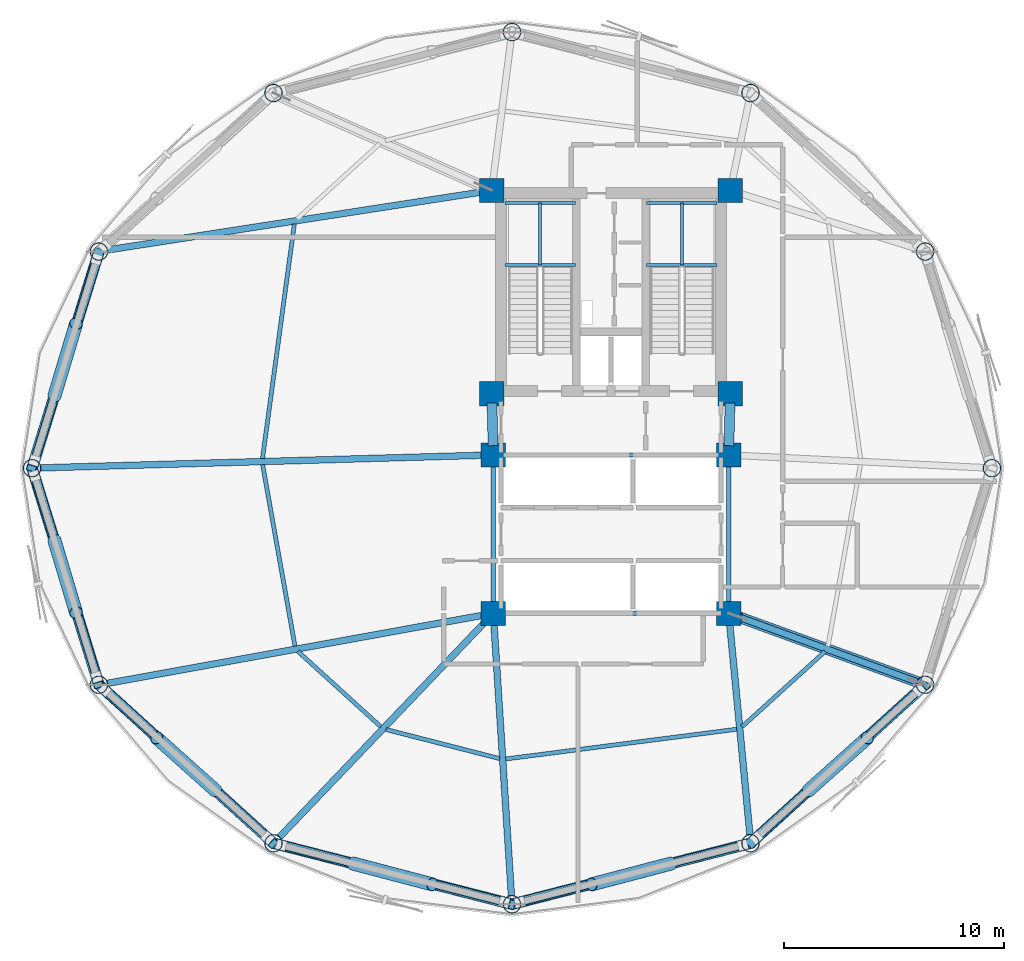
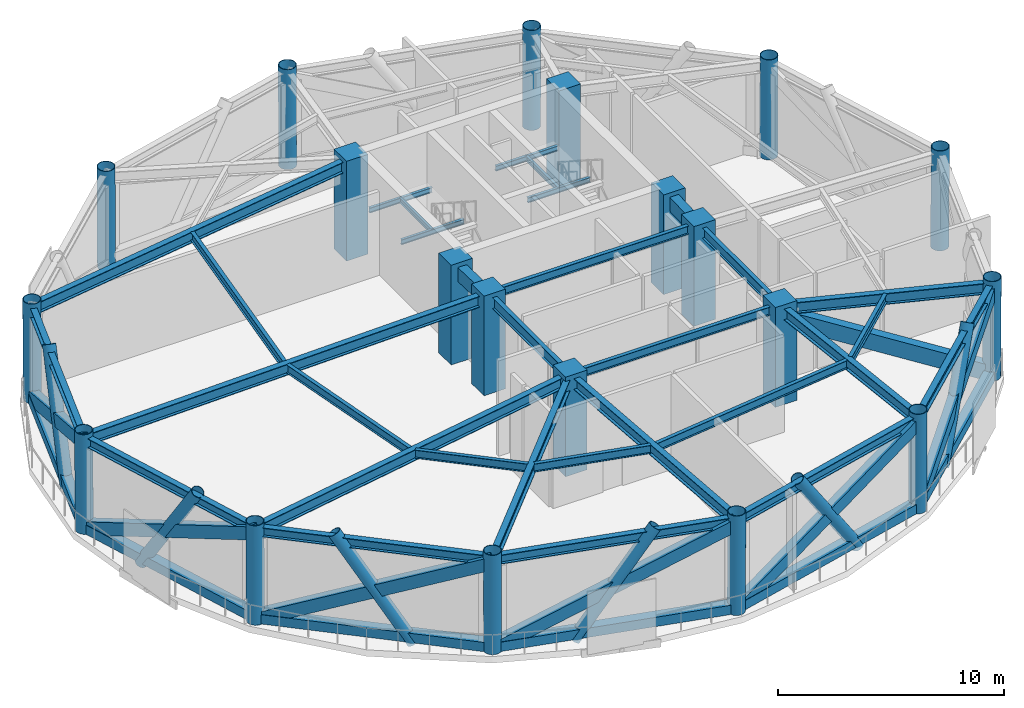
# One storey, part 1 of 8: 31 beams, 20 columns, 19 members.
"""IFC4 building model written with IfcOpenShell, lengths in metres."""

from ifc_helpers import new_model, si_unit, direction, frame, origin, origin_2d, place, context, subcontext, project, spatial, rectangle, hollow_rectangle, hollow_circle, i_section, extrude, material, material_profile, profile_set, type_object, element, save


model = new_model("IFC4")

# Units and contexts
model_context = context("Model", 3, precision=1e-05, world=origin(), true_north=direction((0.0, 1.0)))
body_context = subcontext(model_context, "Body", "Model", "MODEL_VIEW")
ifc_project = project(units=[si_unit("LENGTHUNIT", "METRE"), si_unit("AREAUNIT", "SQUARE_METRE"), si_unit("VOLUMEUNIT", "CUBIC_METRE"), si_unit("PLANEANGLEUNIT", "RADIAN"), si_unit("MASSUNIT", "GRAM", prefix="KILO")], contexts=[model_context])

# Site, building, storey
site_placement = place(None, origin())
site = spatial("IfcSite", under=ifc_project, at=site_placement, CompositionType="ELEMENT")
building_placement = place(site_placement, origin())
building = spatial("IfcBuilding", under=site, at=building_placement, Name="Varnakorn Sky Granary", CompositionType="ELEMENT")
storey_placement = place(building_placement, frame((0.0, 0.0, 78.300048828125)))
storey = spatial("IfcBuildingStorey", under=building, at=storey_placement, Name="L19", CompositionType="ELEMENT", Elevation=78.300048828125)

# Columns
ifc_material_1 = material(Name="Steel S460M", Category="steel")
ifc_material_profile_1 = material_profile(ifc_material_1, hollow_circle(Radius=0.406494140625, WallThickness=0.030029296875, at=origin_2d()), Name="CHS 813x30")
ifc_profile_set_1 = profile_set([ifc_material_profile_1], Name="Steel S460M")
column_type_1 = type_object("IfcColumnType", Name="COL-DC-Z2", PredefinedType="COLUMN", material=ifc_profile_set_1)
for number, where, z_axis, x_axis, name in (
    (1, (20.31103515625, 0.0, 0.0), (0.005405080928, 0.0, 0.999985392443), (0.0, 1.0, 0.0), "Drum Perimeter Column DC01 L19"),
    (2, (17.27197265625, 9.842041015625, 0.0), (0.004678353839, 0.00213478282, 0.999986777766), (-0.415133445789, 0.909760530133, 0.0), "Drum Perimeter Column DC02 L19"),
    (3, (9.337890625, 17.046875, 0.0), (0.002725261674, 0.003724524288, 0.999989350377), (-0.807030325658, 0.590509994384, 0.0), "Drum Perimeter Column DC03 L19"),
    (4, (-1.5, 19.819091796875, 0.0), (0.0, 0.004269583177, 0.999990885288), (-1.0, 0.0, 0.0), "Drum Perimeter Column DC04 L19"),
    (5, (-12.337890625, 17.046875, 0.0), (-0.002725261674, 0.003724524288, 0.999989350377), (-0.807030325658, -0.590509994384, 0.0), "Drum Perimeter Column DC05 L19"),
    (6, (-20.27197265625, 9.842041015625, 0.0), (-0.004678353839, 0.00213478282, 0.999986777766), (-0.415133445789, -0.909760530133, 0.0), "Drum Perimeter Column DC06 L19"),
    (7, (-23.31103515625, 0.0, 0.0), (-0.005405080928, 0.0, 0.999985392443), (0.0, -1.0, 0.0), "Drum Perimeter Column DC07 L19"),
    (8, (-20.27197265625, -9.842041015625, 0.0), (-0.004678353839, -0.00213478282, 0.999986777766), (0.415133445789, -0.909760530133, 0.0), "Drum Perimeter Column DC08 L19"),
    (9, (-12.337890625, -17.046875, 0.0), (-0.002725261674, -0.003724524288, 0.999989350377), (0.807030325658, -0.590509994384, 0.0), "Drum Perimeter Column DC09 L19"),
    (10, (-1.5, -19.819091796875, 0.0), (0.0, -0.004269583177, 0.999990885288), (1.0, 0.0, 0.0), "Drum Perimeter Column DC10 L19"),
    (11, (9.337890625, -17.046875, 0.0), (0.002725261674, -0.003724524288, 0.999989350377), (0.807030325658, 0.590509994384, 0.0), "Drum Perimeter Column DC11 L19"),
    (12, (17.27197265625, -9.842041015625, 0.0), (0.004678353839, -0.00213478282, 0.999986777766), (0.415133445789, 0.909760530133, 0.0), "Drum Perimeter Column DC12 L19"),
):
    element("IfcColumn", number, at=place(storey_placement, frame(where, z_axis=z_axis, x_axis=x_axis)), inside=storey, type_object=column_type_1, Name=name, PredefinedType="COLUMN", context=body_context, shape_type="SweptSolid", body=[
        extrude(hollow_circle(Radius=0.406494140625, WallThickness=0.030029296875, at=origin_2d()), origin(), (0.0, 0.0, 1.0), 5.375),
    ])
ifc_material_2 = material(Name="Concrete C60/75", Category="concrete")
ifc_material_profile_2 = material_profile(ifc_material_2, rectangle(XDim=1.10009765625, YDim=1.10009765625, at=origin_2d()), Name="RC 1100x1100")
ifc_profile_set_2 = profile_set([ifc_material_profile_2], Name="Concrete C60/75")
column_type_2 = type_object("IfcColumnType", Name="COL-MC-Z2", PredefinedType="COLUMN", material=ifc_profile_set_2)
for number, where, z_axis, x_axis, name in (
    (13, (-2.419921875, 12.6201171875, 0.0), (0.0, 0.0, 1.0), (1.0, 0.0, 0.0), "Backbone Mega-Column MC1 L19"),
    (14, (8.419921875, 12.6201171875, 0.0), (0.0, 0.0, 1.0), (1.0, 0.0, 0.0), "Backbone Mega-Column MC2 L19"),
    (15, (-2.419921875, 3.3798828125, 0.0), (0.0, 0.0, 1.0), (1.0, 0.0, 0.0), "Backbone Mega-Column MC3 L19"),
    (16, (8.419921875, 3.3798828125, 0.0), (0.0, 0.0, 1.0), (1.0, 0.0, 0.0), "Backbone Mega-Column MC4 L19"),
    (17, (-2.35009765625, 0.60009765625, 0.0), (0.0, 0.0, 1.0), (1.0, 0.0, 0.0), "Backbone Mega-Column MC5 L19"),
    (18, (8.35009765625, 0.60009765625, 0.0), (0.0, 0.0, 1.0), (1.0, 0.0, 0.0), "Backbone Mega-Column MC6 L19"),
    (19, (-2.35009765625, -6.60009765625, 0.0), (0.0, 0.0, 1.0), (1.0, 0.0, 0.0), "Backbone Mega-Column MC7 L19"),
    (20, (8.35009765625, -6.60009765625, 0.0), (0.0, 0.0, 1.0), (1.0, 0.0, 0.0), "Backbone Mega-Column MC8 L19"),
):
    element("IfcColumn", number, at=place(storey_placement, frame(where, z_axis=z_axis, x_axis=x_axis)), inside=storey, type_object=column_type_2, Name=name, PredefinedType="COLUMN", context=body_context, shape_type="SweptSolid", body=[
        extrude(rectangle(XDim=1.10009765625, YDim=1.10009765625, at=origin_2d()), origin(), (0.0, 0.0, 1.0), 5.375),
    ])

# Beams
ifc_material_3 = material(Name="Steel S355JR", Category="steel")
ifc_material_profile_3 = material_profile(ifc_material_3, i_section(OverallWidth=0.2099609375, OverallDepth=0.550048828125, WebThickness=0.010986328125, FlangeThickness=0.01708984375, at=origin_2d()), Name="IPE 550")
ifc_profile_set_3 = profile_set([ifc_material_profile_3], Name="Steel S355JR")
beam_type_1 = type_object("IfcBeamType", Name="BM-JST-550", PredefinedType="JOIST", material=ifc_profile_set_3)
beam_1_placement = place(storey_placement, frame((8.35009765625, 0.179931640625, 4.864990234375), z_axis=(0.0, -1.0, 0.0), x_axis=(1.0, 0.0, 0.0)))
element("IfcBeam", 21, at=beam_1_placement, inside=storey, type_object=beam_type_1, Name="Core Spine Framing Beam 4 L19", PredefinedType="JOIST", context=body_context, shape_type="SweptSolid", body=[
    extrude(i_section(OverallWidth=0.2099609375, OverallDepth=0.550048828125, WebThickness=0.010986328125, FlangeThickness=0.01708984375, at=origin_2d()), origin(), (0.0, 0.0, 1.0), 6.35986328125),
])
ifc_material_profile_4 = material_profile(ifc_material_3, i_section(OverallWidth=0.219970703125, OverallDepth=0.60009765625, WebThickness=0.011962890625, FlangeThickness=0.01904296875, at=origin_2d()), Name="IPE 600")
ifc_profile_set_4 = profile_set([ifc_material_profile_4], Name="Steel S355JR")
beam_type_2 = type_object("IfcBeamType", Name="BM-JST-600", PredefinedType="JOIST", material=ifc_profile_set_4)
beam_2_placement = place(storey_placement, frame((-2.35009765625, 0.179931640625, 4.83984375), z_axis=(0.0, -1.0, 0.0), x_axis=(1.0, 0.0, 0.0)))
element("IfcBeam", 22, at=beam_2_placement, inside=storey, type_object=beam_type_2, Name="Core Spine Framing Beam 3 L19", PredefinedType="JOIST", context=body_context, shape_type="SweptSolid", body=[
    extrude(i_section(OverallWidth=0.219970703125, OverallDepth=0.60009765625, WebThickness=0.011962890625, FlangeThickness=0.01904296875, at=origin_2d()), origin(), (0.0, 0.0, 1.0), 6.35986328125),
])
ifc_material_profile_5 = material_profile(ifc_material_2, rectangle(XDim=0.449951171875, YDim=0.75, at=origin_2d()), Name="RC 450x750")
ifc_profile_set_5 = profile_set([ifc_material_profile_5], Name="Concrete C60/75")
beam_type_3 = type_object("IfcBeamType", Name="BM-LIN-750", PredefinedType="LINTEL", material=ifc_profile_set_5)
for number, where, z_axis, x_axis, name in (
    (23, (-2.409423828125, 2.960205078125, 4.764892578125), (0.025158763514, -0.999683468213, 0.0), (0.999683468213, 0.025158763514, 0.0), "Core Spine Framing Beam 1 L19"),
    (24, (8.409423828125, 2.960205078125, 4.764892578125), (-0.025158763514, -0.999683468213, 0.0), (0.999683468213, -0.025158763514, 0.0), "Core Spine Framing Beam 2 L19"),
):
    element("IfcBeam", number, at=place(storey_placement, frame(where, z_axis=z_axis, x_axis=x_axis)), inside=storey, type_object=beam_type_3, Name=name, PredefinedType="LINTEL", context=body_context, shape_type="SweptSolid", body=[
        extrude(rectangle(XDim=0.449951171875, YDim=0.75, at=origin_2d()), origin(), (0.0, 0.0, 1.0), 1.94091796875),
    ])
ifc_material_profile_6 = material_profile(ifc_material_3, i_section(OverallWidth=0.135009765625, OverallDepth=0.27001953125, WebThickness=0.006591796875, FlangeThickness=0.01025390625, at=origin_2d()), Name="IPE 270")
ifc_profile_set_6 = profile_set([ifc_material_profile_6], Name="Steel S355JR")
beam_type_4 = type_object("IfcBeamType", Name="BM-LND-270", PredefinedType="BEAM", material=ifc_profile_set_6)
for number, where, z_axis, x_axis, name in (
    (25, (-1.820068359375, 9.239990234375, 2.364990234375), (1.0, 0.0, 0.0), (0.0, 1.0, 0.0), "Stair ST-1 Landing Trimmer Beam A L19-1"),
    (26, (-1.820068359375, 12.06005859375, 2.364990234375), (1.0, 0.0, 0.0), (0.0, 1.0, 0.0), "Stair ST-1 Landing Trimmer Beam B L19-1"),
):
    element("IfcBeam", number, at=place(storey_placement, frame(where, z_axis=z_axis, x_axis=x_axis)), inside=storey, type_object=beam_type_4, Name=name, PredefinedType="BEAM", context=body_context, shape_type="SweptSolid", body=[
        extrude(i_section(OverallWidth=0.135009765625, OverallDepth=0.27001953125, WebThickness=0.006591796875, FlangeThickness=0.01025390625, at=origin_2d()), origin(), (0.0, 0.0, 1.0), 3.199951171875),
    ])
beam_3_placement = place(storey_placement, frame((-0.219970703125, 9.239990234375, 2.364990234375), z_axis=(0.0, 1.0, 0.0), x_axis=(-1.0, 0.0, 0.0)))
element("IfcBeam", 27, at=beam_3_placement, inside=storey, type_object=beam_type_4, Name="Stair ST-1 Landing Cross Beam C L19-1", PredefinedType="BEAM", context=body_context, shape_type="SweptSolid", body=[
    extrude(i_section(OverallWidth=0.135009765625, OverallDepth=0.27001953125, WebThickness=0.006591796875, FlangeThickness=0.01025390625, at=origin_2d()), origin(), (0.0, 0.0, 1.0), 2.820068359375),
])
for number, where, z_axis, x_axis, name in (
    (28, (4.6201171875, 9.239990234375, 2.364990234375), (1.0, 0.0, 0.0), (0.0, 1.0, 0.0), "Stair ST-2 Landing Trimmer Beam A L19-1"),
    (29, (4.6201171875, 12.06005859375, 2.364990234375), (1.0, 0.0, 0.0), (0.0, 1.0, 0.0), "Stair ST-2 Landing Trimmer Beam B L19-1"),
):
    element("IfcBeam", number, at=place(storey_placement, frame(where, z_axis=z_axis, x_axis=x_axis)), inside=storey, type_object=beam_type_4, Name=name, PredefinedType="BEAM", context=body_context, shape_type="SweptSolid", body=[
        extrude(i_section(OverallWidth=0.135009765625, OverallDepth=0.27001953125, WebThickness=0.006591796875, FlangeThickness=0.01025390625, at=origin_2d()), origin(), (0.0, 0.0, 1.0), 3.199951171875),
    ])
beam_4_placement = place(storey_placement, frame((6.219970703125, 9.239990234375, 2.364990234375), z_axis=(0.0, 1.0, 0.0), x_axis=(-1.0, 0.0, 0.0)))
element("IfcBeam", 30, at=beam_4_placement, inside=storey, type_object=beam_type_4, Name="Stair ST-2 Landing Cross Beam C L19-1", PredefinedType="BEAM", context=body_context, shape_type="SweptSolid", body=[
    extrude(i_section(OverallWidth=0.135009765625, OverallDepth=0.27001953125, WebThickness=0.006591796875, FlangeThickness=0.01025390625, at=origin_2d()), origin(), (0.0, 0.0, 1.0), 2.820068359375),
])
ifc_material_profile_7 = material_profile(ifc_material_3, i_section(OverallWidth=0.300048828125, OverallDepth=0.60009765625, WebThickness=0.015380859375, FlangeThickness=0.030029296875, at=origin_2d()), Name="HE 600 B")
ifc_profile_set_7 = profile_set([ifc_material_profile_7], Name="Steel S355JR")
beam_type_5 = type_object("IfcBeamType", Name="BM-RAD-Z2", PredefinedType="BEAM", material=ifc_profile_set_7)
beam_5_placement = place(storey_placement, frame((-2.835205078125, 12.555908203125, 4.83984375), z_axis=(-0.988235065299, -0.152942654982, 0.0), x_axis=(0.152942654982, -0.988235065299, 0.0)))
element("IfcBeam", 31, at=beam_5_placement, inside=storey, type_object=beam_type_5, Name="Radial Floor Girder RG06 L19", PredefinedType="BEAM", context=body_context, shape_type="SweptSolid", body=[
    extrude(i_section(OverallWidth=0.300048828125, OverallDepth=0.60009765625, WebThickness=0.015380859375, FlangeThickness=0.030029296875, at=origin_2d()), origin(), (0.0, 0.0, 1.0), 17.2783203125),
])
beam_6_placement = place(storey_placement, frame((-2.769775390625, 0.587890625, 4.83984375), z_axis=(-0.999591918748, -0.028565643257, 0.0), x_axis=(0.028565643257, -0.999591918748, 0.0)))
element("IfcBeam", 32, at=beam_6_placement, inside=storey, type_object=beam_type_5, Name="Radial Floor Girder RG07 L19", PredefinedType="BEAM", context=body_context, shape_type="SweptSolid", body=[
    extrude(i_section(OverallWidth=0.300048828125, OverallDepth=0.60009765625, WebThickness=0.015380859375, FlangeThickness=0.030029296875, at=origin_2d()), origin(), (0.0, 0.0, 1.0), 20.187255859375),
])
beam_7_placement = place(storey_placement, frame((-2.76318359375, -6.6748046875, 4.83984375), z_axis=(-0.983961228119, -0.178382458662, 0.0), x_axis=(0.178382458662, -0.983961228119, 0.0)))
element("IfcBeam", 33, at=beam_7_placement, inside=storey, type_object=beam_type_5, Name="Radial Floor Girder RG08 L19", PredefinedType="BEAM", context=body_context, shape_type="SweptSolid", body=[
    extrude(i_section(OverallWidth=0.300048828125, OverallDepth=0.60009765625, WebThickness=0.015380859375, FlangeThickness=0.030029296875, at=origin_2d()), origin(), (0.0, 0.0, 1.0), 17.42822265625),
])
beam_8_placement = place(storey_placement, frame((-2.64013671875, -6.903564453125, 4.83984375), z_axis=(-0.690891595285, -0.722958369178, 0.0), x_axis=(0.722958369178, -0.690891595285, 0.0)))
element("IfcBeam", 34, at=beam_8_placement, inside=storey, type_object=beam_type_5, Name="Radial Floor Girder RG09 L19", PredefinedType="BEAM", context=body_context, shape_type="SweptSolid", body=[
    extrude(i_section(OverallWidth=0.300048828125, OverallDepth=0.60009765625, WebThickness=0.015380859375, FlangeThickness=0.030029296875, at=origin_2d()), origin(), (0.0, 0.0, 1.0), 13.666259765625),
])
beam_9_placement = place(storey_placement, frame((-2.322998046875, -7.01904296875, 4.83984375), z_axis=(0.064043578189, -0.997947102853, 0.0), x_axis=(0.997947102853, 0.064043578189, 0.0)))
element("IfcBeam", 35, at=beam_9_placement, inside=storey, type_object=beam_type_5, Name="Radial Floor Girder RG10 L19", PredefinedType="BEAM", context=body_context, shape_type="SweptSolid", body=[
    extrude(i_section(OverallWidth=0.300048828125, OverallDepth=0.60009765625, WebThickness=0.015380859375, FlangeThickness=0.030029296875, at=origin_2d()), origin(), (0.0, 0.0, 1.0), 12.4580078125),
])
beam_10_placement = place(storey_placement, frame((8.389892578125, -7.01806640625, 4.83984375), z_axis=(0.095360018204, -0.995442849654, 0.0), x_axis=(0.995442849654, 0.095360018204, 0.0)))
element("IfcBeam", 36, at=beam_10_placement, inside=storey, type_object=beam_type_5, Name="Radial Floor Girder RG11 L19", PredefinedType="BEAM", context=body_context, shape_type="SweptSolid", body=[
    extrude(i_section(OverallWidth=0.300048828125, OverallDepth=0.60009765625, WebThickness=0.015380859375, FlangeThickness=0.030029296875, at=origin_2d()), origin(), (0.0, 0.0, 1.0), 9.703125),
])
beam_11_placement = place(storey_placement, frame((8.74462890625, -6.743408203125, 4.83984375), z_axis=(0.939789330964, -0.341754317318, 0.0), x_axis=(0.341754317318, 0.939789330964, 0.0)))
element("IfcBeam", 37, at=beam_11_placement, inside=storey, type_object=beam_type_5, Name="Radial Floor Girder RG12 L19", PredefinedType="BEAM", context=body_context, shape_type="SweptSolid", body=[
    extrude(i_section(OverallWidth=0.300048828125, OverallDepth=0.60009765625, WebThickness=0.015380859375, FlangeThickness=0.030029296875, at=origin_2d()), origin(), (0.0, 0.0, 1.0), 8.708984375),
])
ifc_material_profile_8 = material_profile(ifc_material_3, i_section(OverallWidth=0.18994140625, OverallDepth=0.449951171875, WebThickness=0.009521484375, FlangeThickness=0.0146484375, at=origin_2d()), Name="IPE 450")
ifc_profile_set_8 = profile_set([ifc_material_profile_8], Name="Steel S355JR")
beam_type_6 = type_object("IfcBeamType", Name="BM-SEC-Z2", PredefinedType="BEAM", material=ifc_profile_set_8)
beam_12_placement = place(storey_placement, frame((-11.3916015625, 11.095947265625, 4.9150390625), z_axis=(-0.134693842963, -0.990887263349, 0.0), x_axis=(0.990887263349, -0.134693842963, 0.0)))
element("IfcBeam", 38, at=beam_12_placement, inside=storey, type_object=beam_type_6, Name="Secondary Floor Chord Beam MSB06 L19", PredefinedType="BEAM", context=body_context, shape_type="SweptSolid", body=[
    extrude(i_section(OverallWidth=0.18994140625, OverallDepth=0.449951171875, WebThickness=0.009521484375, FlangeThickness=0.0146484375, at=origin_2d()), origin(), (0.0, 0.0, 1.0), 10.755615234375),
])
beam_13_placement = place(storey_placement, frame((-12.834716796875, 0.161865234375, 4.9150390625), z_axis=(0.175627358181, -0.984456718733, 0.0), x_axis=(0.984456718733, 0.175627358181, 0.0)))
element("IfcBeam", 39, at=beam_13_placement, inside=storey, type_object=beam_type_6, Name="Secondary Floor Chord Beam MSB07 L19", PredefinedType="BEAM", context=body_context, shape_type="SweptSolid", body=[
    extrude(i_section(OverallWidth=0.18994140625, OverallDepth=0.449951171875, WebThickness=0.009521484375, FlangeThickness=0.0146484375, at=origin_2d()), origin(), (0.0, 0.0, 1.0), 8.3837890625),
])
beam_14_placement = place(storey_placement, frame((-11.23388671875, -8.323486328125, 4.9150390625), z_axis=(0.739998628188, -0.672608378092, 0.0), x_axis=(0.672608378092, 0.739998628188, 0.0)))
element("IfcBeam", 40, at=beam_14_placement, inside=storey, type_object=beam_type_6, Name="Secondary Floor Chord Beam MSB08 L19", PredefinedType="BEAM", context=body_context, shape_type="SweptSolid", body=[
    extrude(i_section(OverallWidth=0.18994140625, OverallDepth=0.449951171875, WebThickness=0.009521484375, FlangeThickness=0.0146484375, at=origin_2d()), origin(), (0.0, 0.0, 1.0), 5.09375),
])
beam_15_placement = place(storey_placement, frame((-7.2255859375, -11.87841796875, 4.9150390625), z_axis=(0.96877815677, -0.247929189419, 0.0), x_axis=(0.247929189419, 0.96877815677, 0.0)))
element("IfcBeam", 41, at=beam_15_placement, inside=storey, type_object=beam_type_6, Name="Secondary Floor Chord Beam MSB09 L19", PredefinedType="BEAM", context=body_context, shape_type="SweptSolid", body=[
    extrude(i_section(OverallWidth=0.18994140625, OverallDepth=0.449951171875, WebThickness=0.009521484375, FlangeThickness=0.0146484375, at=origin_2d()), origin(), (0.0, 0.0, 1.0), 5.332275390625),
])
beam_16_placement = place(storey_placement, frame((-1.78515625, -13.21728515625, 4.9150390625), z_axis=(0.991812296517, 0.127704222631, 0.0), x_axis=(-0.127704222631, 0.991812296517, 0.0)))
element("IfcBeam", 42, at=beam_16_placement, inside=storey, type_object=beam_type_6, Name="Secondary Floor Chord Beam MSB10 L19", PredefinedType="BEAM", context=body_context, shape_type="SweptSolid", body=[
    extrude(i_section(OverallWidth=0.18994140625, OverallDepth=0.449951171875, WebThickness=0.009521484375, FlangeThickness=0.0146484375, at=origin_2d()), origin(), (0.0, 0.0, 1.0), 10.58544921875),
])
beam_17_placement = place(storey_placement, frame((8.956298828125, -11.75341796875, 4.9150390625), z_axis=(0.740524573883, 0.672029281709, 0.0), x_axis=(-0.672029281709, 0.740524573883, 0.0)))
element("IfcBeam", 43, at=beam_17_placement, inside=storey, type_object=beam_type_6, Name="Secondary Floor Chord Beam MSB11 L19", PredefinedType="BEAM", context=body_context, shape_type="SweptSolid", body=[
    extrude(i_section(OverallWidth=0.18994140625, OverallDepth=0.449951171875, WebThickness=0.009521484375, FlangeThickness=0.0146484375, at=origin_2d()), origin(), (0.0, 0.0, 1.0), 5.1005859375),
])
for number, where, z_axis, x_axis, name in (
    (44, (-1.929931640625, 0.60009765625, 4.9150390625), (1.0, 0.0, 0.0), (0.0, 1.0, 0.0), "Core Spine Framing Beam 5 L19"),
    (45, (-1.929931640625, -6.60009765625, 4.9150390625), (1.0, 0.0, 0.0), (0.0, 1.0, 0.0), "Core Spine Framing Beam 6 L19"),
):
    element("IfcBeam", number, at=place(storey_placement, frame(where, z_axis=z_axis, x_axis=x_axis)), inside=storey, type_object=beam_type_6, Name=name, PredefinedType="BEAM", context=body_context, shape_type="SweptSolid", body=[
        extrude(i_section(OverallWidth=0.18994140625, OverallDepth=0.449951171875, WebThickness=0.009521484375, FlangeThickness=0.0146484375, at=origin_2d()), origin(), (0.0, 0.0, 1.0), 9.85986328125),
    ])
ifc_material_profile_9 = material_profile(ifc_material_3, i_section(OverallWidth=0.300048828125, OverallDepth=0.5, WebThickness=0.014404296875, FlangeThickness=0.028076171875, at=origin_2d()), Name="HE 500 B")
ifc_profile_set_9 = profile_set([ifc_material_profile_9], Name="Steel S355JR")
beam_type_7 = type_object("IfcBeamType", Name="BM-SPD-Z2", PredefinedType="SPANDREL", material=ifc_profile_set_9)
for number, where, z_axis, x_axis, name in (
    (46, (-20.41259765625, 9.4794921875, 4.889892578125), (-0.295075817934, -0.955473841437, 0.0), (0.955473841437, -0.295075817934, 0.0), "Perimeter Spandrel Ring Beam RB06 L19"),
    (47, (-23.224609375, -0.3740234375, 4.889892578125), (0.295075817934, -0.955473841437, 0.0), (0.955473841437, 0.295075817934, 0.0), "Perimeter Spandrel Ring Beam RB07 L19"),
):
    element("IfcBeam", number, at=place(storey_placement, frame(where, z_axis=z_axis, x_axis=x_axis)), inside=storey, type_object=beam_type_7, Name=name, PredefinedType="SPANDREL", context=body_context, shape_type="SweptSolid", body=[
        extrude(i_section(OverallWidth=0.300048828125, OverallDepth=0.5, WebThickness=0.014404296875, FlangeThickness=0.028076171875, at=origin_2d()), origin(), (0.0, 0.0, 1.0), 9.52978515625),
    ])
beam_18_placement = place(storey_placement, frame((-20.007080078125, -10.11669921875, 4.889892578125), z_axis=(0.74035082887, -0.672220685632, 0.0), x_axis=(0.672220685632, 0.74035082887, 0.0)))
element("IfcBeam", 48, at=beam_18_placement, inside=storey, type_object=beam_type_7, Name="Perimeter Spandrel Ring Beam RB08 L19", PredefinedType="SPANDREL", context=body_context, shape_type="SweptSolid", body=[
    extrude(i_section(OverallWidth=0.300048828125, OverallDepth=0.5, WebThickness=0.014404296875, FlangeThickness=0.028076171875, at=origin_2d()), origin(), (0.0, 0.0, 1.0), 9.94775390625),
])
for number, where, z_axis, x_axis, name in (
    (49, (-11.97314453125, -17.163818359375, 4.889892578125), (0.968821674194, -0.247759083815, 0.0), (0.247759083815, 0.968821674194, 0.0), "Perimeter Spandrel Ring Beam RB09 L19"),
    (50, (-1.12060546875, -19.7451171875, 4.889892578125), (0.968821674194, 0.247759083815, 0.0), (-0.247759083815, 0.968821674194, 0.0), "Perimeter Spandrel Ring Beam RB10 L19"),
):
    element("IfcBeam", number, at=place(storey_placement, frame(where, z_axis=z_axis, x_axis=x_axis)), inside=storey, type_object=beam_type_7, Name=name, PredefinedType="SPANDREL", context=body_context, shape_type="SweptSolid", body=[
        extrude(i_section(OverallWidth=0.300048828125, OverallDepth=0.5, WebThickness=0.014404296875, FlangeThickness=0.028076171875, at=origin_2d()), origin(), (0.0, 0.0, 1.0), 10.418701171875),
    ])
beam_19_placement = place(storey_placement, frame((9.642333984375, -16.8037109375, 4.889892578125), z_axis=(0.74035082887, 0.672220685632, 0.0), x_axis=(-0.672220685632, 0.74035082887, 0.0)))
element("IfcBeam", 51, at=beam_19_placement, inside=storey, type_object=beam_type_7, Name="Perimeter Spandrel Ring Beam RB11 L19", PredefinedType="SPANDREL", context=body_context, shape_type="SweptSolid", body=[
    extrude(i_section(OverallWidth=0.300048828125, OverallDepth=0.5, WebThickness=0.014404296875, FlangeThickness=0.028076171875, at=origin_2d()), origin(), (0.0, 0.0, 1.0), 9.94775390625),
])

# Members
ifc_material_profile_10 = material_profile(ifc_material_1, hollow_rectangle(XDim=0.449951171875, YDim=0.64990234375, WallThickness=0.02490234375, at=origin_2d()), Name="RHS 450x650x25")
ifc_profile_set_10 = profile_set([ifc_material_profile_10], Name="Steel S460M")
member_type_1 = type_object("IfcMemberType", Name="MB-BELT-650", PredefinedType="BRACE", material=ifc_profile_set_10)
member_1_placement = place(storey_placement, frame((-20.27197265625, 9.842041015625, 0.14990234375), z_axis=(-0.271387161461, -0.870568205615, 0.410438799294), x_axis=(0.954687489684, -0.297610142705, 0.0)))
element("IfcMember", 52, at=member_1_placement, inside=storey, type_object=member_type_1, Name="Perimeter Belt-Truss Diagonal BT06 L19", PredefinedType="BRACE", context=body_context, shape_type="SweptSolid", body=[
    extrude(hollow_rectangle(XDim=0.449951171875, YDim=0.64990234375, WallThickness=0.02490234375, at=origin_2d()), origin(), (0.0, 0.0, 1.0), 11.305419921875),
])
member_2_placement = place(storey_placement, frame((-23.31103515625, 0.0, 0.14990234375), z_axis=(0.266701179464, -0.871936784379, 0.41060531526), x_axis=(0.956266923508, 0.292495420483, 0.0)))
element("IfcMember", 53, at=member_2_placement, inside=storey, type_object=member_type_1, Name="Perimeter Belt-Truss Diagonal BT07 L19", PredefinedType="BRACE", context=body_context, shape_type="SweptSolid", body=[
    extrude(hollow_rectangle(XDim=0.449951171875, YDim=0.64990234375, WallThickness=0.02490234375, at=origin_2d()), origin(), (0.0, 0.0, 1.0), 11.30078125),
])
member_3_placement = place(storey_placement, frame((-20.27197265625, -9.842041015625, 0.14990234375), z_axis=(0.677973057187, -0.618510903303, 0.397236448761), x_axis=(0.673967439166, 0.738761051318, 0.0)))
element("IfcMember", 54, at=member_3_placement, inside=storey, type_object=member_type_1, Name="Perimeter Belt-Truss Diagonal BT08 L19", PredefinedType="BRACE", context=body_context, shape_type="SweptSolid", body=[
    extrude(hollow_rectangle(XDim=0.449951171875, YDim=0.64990234375, WallThickness=0.02490234375, at=origin_2d()), origin(), (0.0, 0.0, 1.0), 11.68115234375),
])
member_4_placement = place(storey_placement, frame((-12.337890625, -17.046875, 0.14990234375), z_axis=(0.894491607983, -0.23069549513, 0.382967820808), x_axis=(0.249734860416, 0.968314256579, 0.0)))
element("IfcMember", 55, at=member_4_placement, inside=storey, type_object=member_type_1, Name="Perimeter Belt-Truss Diagonal BT09 L19", PredefinedType="BRACE", context=body_context, shape_type="SweptSolid", body=[
    extrude(hollow_rectangle(XDim=0.449951171875, YDim=0.64990234375, WallThickness=0.02490234375, at=origin_2d()), origin(), (0.0, 0.0, 1.0), 12.1162109375),
])
member_5_placement = place(storey_placement, frame((-1.5, -19.819091796875, 0.14990234375), z_axis=(0.895458571561, 0.22708774582, 0.382864339312), x_axis=(-0.245817948206, 0.969316014693, 0.0)))
element("IfcMember", 56, at=member_5_placement, inside=storey, type_object=member_type_1, Name="Perimeter Belt-Truss Diagonal BT10 L19", PredefinedType="BRACE", context=body_context, shape_type="SweptSolid", body=[
    extrude(hollow_rectangle(XDim=0.449951171875, YDim=0.64990234375, WallThickness=0.02490234375, at=origin_2d()), origin(), (0.0, 0.0, 1.0), 12.11962890625),
])
member_6_placement = place(storey_placement, frame((9.337890625, -17.046875, 0.14990234375), z_axis=(0.68093633964, 0.615413892554, 0.396977886298), x_axis=(-0.670511005975, 0.741899582738, 0.0)))
element("IfcMember", 57, at=member_6_placement, inside=storey, type_object=member_type_1, Name="Perimeter Belt-Truss Diagonal BT11 L19", PredefinedType="BRACE", context=body_context, shape_type="SweptSolid", body=[
    extrude(hollow_rectangle(XDim=0.449951171875, YDim=0.64990234375, WallThickness=0.02490234375, at=origin_2d()), origin(), (0.0, 0.0, 1.0), 11.688720703125),
])
ifc_material_profile_11 = material_profile(ifc_material_1, hollow_rectangle(XDim=0.5, YDim=0.5, WallThickness=0.02490234375, at=origin_2d()), Name="SHS 500x500x25")
ifc_profile_set_11 = profile_set([ifc_material_profile_11], Name="Steel S460M")
member_type_2 = type_object("IfcMemberType", Name="MB-CHD-500", PredefinedType="CHORD", material=ifc_profile_set_11)
for number, where, z_axis, x_axis, name in (
    (58, (-20.27197265625, 9.842041015625, 0.25), (-0.295038381743, -0.955485401928, 0.0), (0.955485401928, -0.295038381743, 0.0), "Belt-Truss Bottom Chord BCH06 L19"),
    (59, (-23.31103515625, 0.0, 0.25), (0.295038381743, -0.955485401928, 0.0), (0.955485401928, 0.295038381743, 0.0), "Belt-Truss Bottom Chord BCH07 L19"),
):
    element("IfcMember", number, at=place(storey_placement, frame(where, z_axis=z_axis, x_axis=x_axis)), inside=storey, type_object=member_type_2, Name=name, PredefinedType="CHORD", context=body_context, shape_type="SweptSolid", body=[
        extrude(hollow_rectangle(XDim=0.5, YDim=0.5, WallThickness=0.02490234375, at=origin_2d()), origin(), (0.0, 0.0, 1.0), 10.300537109375),
    ])
member_7_placement = place(storey_placement, frame((-20.27197265625, -9.842041015625, 0.25), z_axis=(0.74031001037, -0.672265638379, 0.0), x_axis=(0.672265638379, 0.74031001037, 0.0)))
element("IfcMember", 60, at=member_7_placement, inside=storey, type_object=member_type_2, Name="Belt-Truss Bottom Chord BCH08 L19", PredefinedType="CHORD", context=body_context, shape_type="SweptSolid", body=[
    extrude(hollow_rectangle(XDim=0.5, YDim=0.5, WallThickness=0.02490234375, at=origin_2d()), origin(), (0.0, 0.0, 1.0), 10.71728515625),
])
for number, where, z_axis, x_axis, name in (
    (61, (-12.337890625, -17.046875, 0.25), (0.968808431619, -0.247810860989, 0.0), (0.247810860989, 0.968808431619, 0.0), "Belt-Truss Bottom Chord BCH09 L19"),
    (62, (-1.5, -19.819091796875, 0.25), (0.968808431619, 0.247810860989, 0.0), (-0.247810860989, 0.968808431619, 0.0), "Belt-Truss Bottom Chord BCH10 L19"),
):
    element("IfcMember", number, at=place(storey_placement, frame(where, z_axis=z_axis, x_axis=x_axis)), inside=storey, type_object=member_type_2, Name=name, PredefinedType="CHORD", context=body_context, shape_type="SweptSolid", body=[
        extrude(hollow_rectangle(XDim=0.5, YDim=0.5, WallThickness=0.02490234375, at=origin_2d()), origin(), (0.0, 0.0, 1.0), 11.186767578125),
    ])
member_8_placement = place(storey_placement, frame((9.337890625, -17.046875, 0.25), z_axis=(0.74031001037, 0.672265638379, 0.0), x_axis=(-0.672265638379, 0.74031001037, 0.0)))
element("IfcMember", 63, at=member_8_placement, inside=storey, type_object=member_type_2, Name="Belt-Truss Bottom Chord BCH11 L19", PredefinedType="CHORD", context=body_context, shape_type="SweptSolid", body=[
    extrude(hollow_rectangle(XDim=0.5, YDim=0.5, WallThickness=0.02490234375, at=origin_2d()), origin(), (0.0, 0.0, 1.0), 10.71728515625),
])
ifc_material_profile_12 = material_profile(ifc_material_1, hollow_circle(Radius=0.304931640625, WallThickness=0.022216796875, at=origin_2d()), Name="CHS 610x22")
ifc_profile_set_12 = profile_set([ifc_material_profile_12], Name="Steel S460M")
member_type_3 = type_object("IfcMemberType", Name="MB-DIAG-T1", PredefinedType="BRACE", material=ifc_profile_set_12)
for number, where, z_axis, x_axis, name in (
    (64, (-22.298095703125, 3.28076171875, -0.130126953125), (0.153805428249, 0.512519869639, 0.844788300976), (-0.957800837901, 0.287432696325, 0.0), "Perimeter CHS Diagrid Brace DG06 L19"),
    (65, (-22.298095703125, -3.28076171875, -0.130126953125), (0.153805428249, -0.512519869639, 0.844788300976), (0.957800837901, 0.287432696325, 0.0), "Perimeter CHS Diagrid Brace DG07 L19"),
):
    element("IfcMember", number, at=place(storey_placement, frame(where, z_axis=z_axis, x_axis=x_axis)), inside=storey, type_object=member_type_3, Name=name, PredefinedType="BRACE", context=body_context, shape_type="SweptSolid", body=[
        extrude(hollow_circle(Radius=0.304931640625, WallThickness=0.022216796875, at=origin_2d()), origin(), (0.0, 0.0, 1.0), 6.416015625),
    ])
member_9_placement = place(storey_placement, frame((-14.982666015625, -14.645263671875, -0.130126953125), z_axis=(-0.410499666753, 0.367574053766, 0.834493462283), x_axis=(-0.667081945865, -0.744984347151, 0.0)))
element("IfcMember", 66, at=member_9_placement, inside=storey, type_object=member_type_3, Name="Perimeter CHS Diagrid Brace DG08 L19", PredefinedType="BRACE", context=body_context, shape_type="SweptSolid", body=[
    extrude(hollow_circle(Radius=0.304931640625, WallThickness=0.022216796875, at=origin_2d()), origin(), (0.0, 0.0, 1.0), 6.4951171875),
])
for number, where, z_axis, x_axis, name in (
    (67, (-8.725341796875, -17.970947265625, -0.130126953125), (0.548353773269, -0.14378609226, 0.823792266906), (0.253639398077, 0.967298845106, 0.0), "Perimeter CHS Diagrid Brace DG09 L19"),
    (68, (5.725341796875, -17.970947265625, -0.130126953125), (-0.548353773269, -0.14378609226, 0.823792266906), (0.253639398077, -0.967298845106, 0.0), "Perimeter CHS Diagrid Brace DG10 L19"),
):
    element("IfcMember", number, at=place(storey_placement, frame(where, z_axis=z_axis, x_axis=x_axis)), inside=storey, type_object=member_type_3, Name=name, PredefinedType="BRACE", context=body_context, shape_type="SweptSolid", body=[
        extrude(hollow_circle(Radius=0.304931640625, WallThickness=0.022216796875, at=origin_2d()), origin(), (0.0, 0.0, 1.0), 6.57958984375),
    ])
member_10_placement = place(storey_placement, frame((11.982666015625, -14.645263671875, -0.130126953125), z_axis=(0.410499666753, 0.367574053766, 0.834493462283), x_axis=(-0.667081945865, 0.744984347151, 0.0)))
element("IfcMember", 69, at=member_10_placement, inside=storey, type_object=member_type_3, Name="Perimeter CHS Diagrid Brace DG11 L19", PredefinedType="BRACE", context=body_context, shape_type="SweptSolid", body=[
    extrude(hollow_circle(Radius=0.304931640625, WallThickness=0.022216796875, at=origin_2d()), origin(), (0.0, 0.0, 1.0), 6.4951171875),
])
ifc_material_profile_13 = material_profile(ifc_material_1, hollow_rectangle(XDim=0.5, YDim=0.800048828125, WallThickness=0.030029296875, at=origin_2d()), Name="RHS 500x800x30")
ifc_profile_set_13 = profile_set([ifc_material_profile_13], Name="Steel S460M")
member_type_4 = type_object("IfcMemberType", Name="MB-OUT-800", PredefinedType="BRACE", material=ifc_profile_set_13)
member_11_placement = place(storey_placement, frame((8.74462890625, -6.743408203125, 4.2900390625), z_axis=(0.859540452975, -0.312326359502, -0.404527446361), x_axis=(0.341517253706, 0.939875505278, 0.0)))
element("IfcMember", 70, at=member_11_placement, inside=storey, type_object=member_type_4, Name="Radial Outrigger Truss Diagonal OUT12 L19", PredefinedType="BRACE", context=body_context, shape_type="SweptSolid", body=[
    extrude(hollow_rectangle(XDim=0.5, YDim=0.800048828125, WallThickness=0.030029296875, at=origin_2d()), origin(), (0.0, 0.0, 1.0), 9.49267578125),
])

save(model, "model.ifc")
